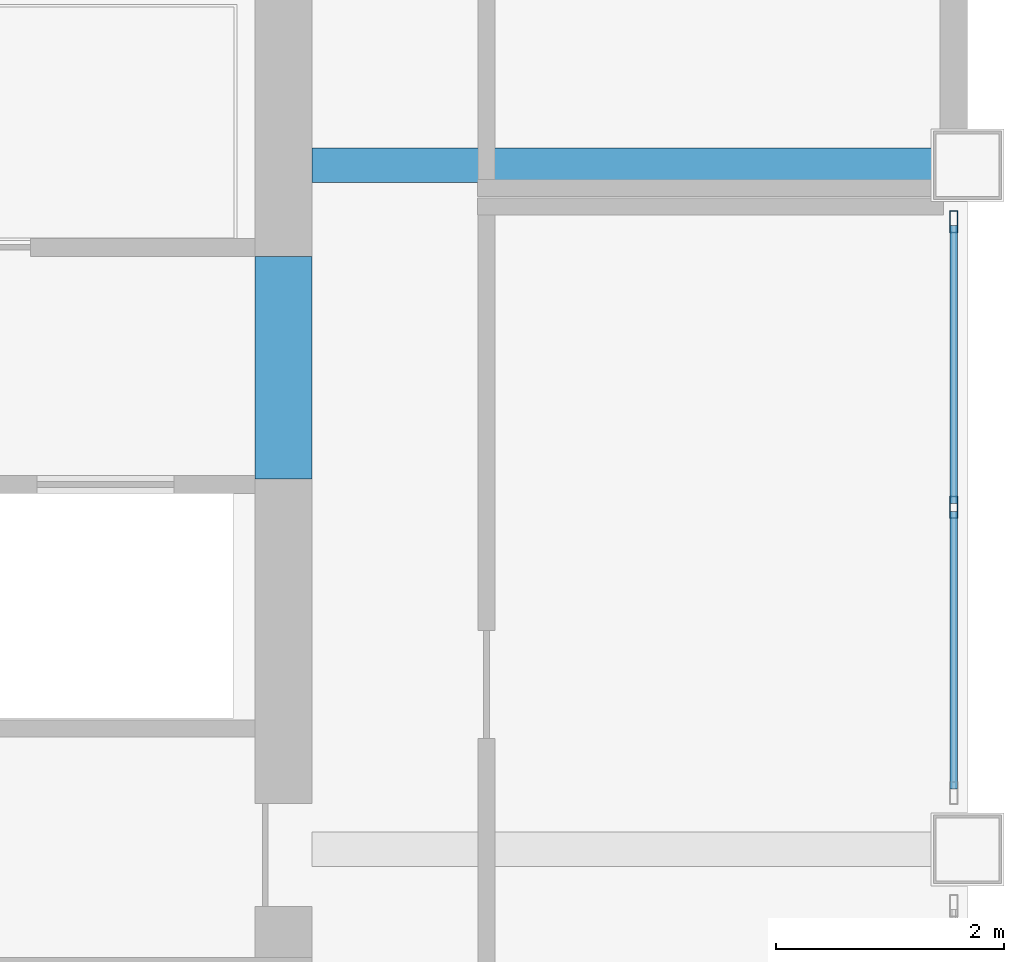
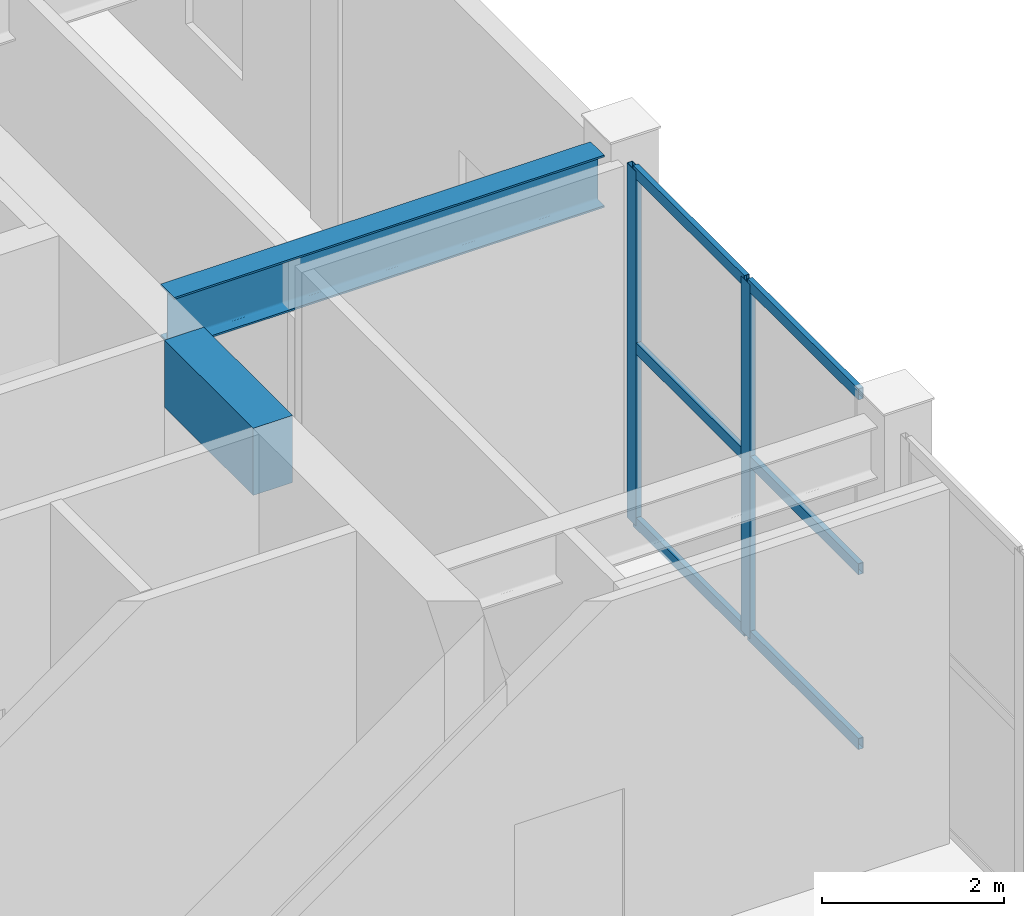
# One storey, part 5 of 11: 8 members, 2 beams, 1 element without a shape of its own.
"""IFC4 building model written with IfcOpenShell, lengths in metres."""

from ifc_helpers import new_model, si_unit, direction, frame, origin, origin_2d, place, context, subcontext, project, spatial, rectangle, hollow_rectangle, i_section, extrude, material, layer, layer_set, material_profile, profile_set, type_object, element, aggregate, save


model = new_model("IFC4")

# Units and contexts
model_context = context("Model", 3, precision=1e-05, world=origin(), true_north=direction((0.0, 1.0)))
body_context = subcontext(model_context, "Body", "Model", "MODEL_VIEW")
ifc_project = project(units=[si_unit("LENGTHUNIT", "METRE"), si_unit("AREAUNIT", "SQUARE_METRE"), si_unit("VOLUMEUNIT", "CUBIC_METRE"), si_unit("PLANEANGLEUNIT", "RADIAN"), si_unit("MASSUNIT", "GRAM", prefix="KILO")], contexts=[model_context])

# Site, building, storey
site_placement = place(None, origin())
site = spatial("IfcSite", under=ifc_project, at=site_placement, CompositionType="ELEMENT")
building_placement = place(site_placement, origin())
building = spatial("IfcBuilding", under=site, at=building_placement, Name="Haolan Belvedere Tower", CompositionType="ELEMENT")
storey_placement = place(building_placement, frame((0.0, 0.0, 323.199951171875)))
storey = spatial("IfcBuildingStorey", under=building, at=storey_placement, Name="L81", CompositionType="ELEMENT", Elevation=323.199951171875)

# Beams
ifc_material_1 = material(Name="Steel Q355B", Category="steel")
ifc_material_profile_1 = material_profile(ifc_material_1, i_section(OverallWidth=0.300048828125, OverallDepth=0.699951171875, WebThickness=0.012939453125, FlangeThickness=0.02392578125, FilletRadius=0.02587890625, at=origin_2d()), Name="Steel Q355B")
ifc_profile_set_1 = profile_set([ifc_material_profile_1], Name="Steel Q355B")
beam_type_1 = type_object("IfcBeamType", Name="BM-HN700x300x13x24", PredefinedType="BEAM", material=ifc_profile_set_1)
beam_1_placement = place(storey_placement, frame((52.5, 33.60009765625, 4.400146484375), z_axis=(-1.0, 0.0, 0.0), x_axis=(0.0, -1.0, 0.0)))
element("IfcBeam", 1, at=beam_1_placement, inside=storey, type_object=beam_type_1, Name="L81 core tie beam from MC-T3-ME", PredefinedType="BEAM", context=body_context, shape_type="SweptSolid", body=[
    extrude(i_section(OverallWidth=0.300048828125, OverallDepth=0.699951171875, WebThickness=0.012939453125, FlangeThickness=0.02392578125, FilletRadius=0.02587890625, at=origin_2d()), origin(), (0.0, 0.0, 1.0), 5.449951171875),
])
ifc_material_2 = material(Name="Concrete C60/75", Category="concrete")
ifc_material_profile_2 = material_profile(ifc_material_2, rectangle(XDim=0.5, YDim=0.89990234375, at=origin_2d()), Name="Concrete C60/75")
ifc_profile_set_2 = profile_set([ifc_material_profile_2], Name="Concrete C60/75")
beam_type_2 = type_object("IfcBeamType", Name="BM-RC500x900", PredefinedType="LINTEL", material=ifc_profile_set_2)
beam_2_placement = place(storey_placement, frame((46.800048828125, 30.85009765625, 4.300048828125), z_axis=(0.0, 1.0, 0.0), x_axis=(-1.0, 0.0, 0.0)))
element("IfcBeam", 2, at=beam_2_placement, inside=storey, type_object=beam_type_2, Name="L81 east core coupling beam CB-01", PredefinedType="LINTEL", context=body_context, shape_type="SweptSolid", body=[
    extrude(rectangle(XDim=0.5, YDim=0.89990234375, at=origin_2d()), origin(), (0.0, 0.0, 1.0), 1.949951171875),
])

# Curtain wall, members
ifc_material_3 = material(Name="Anodised champagne-silver aluminium 6063-T6 and Low-E glass", Category="aluminium")
ifc_layer = layer(ifc_material_3, 0.195068359375, Name="Anodised champagne-silver aluminium 6063-T6 and Low-E glass")
ifc_layer_set = layer_set([ifc_layer], Name="Anodised champagne-silver aluminium 6063-T6 and Low-E glass")
curtain_wall_type = type_object("IfcCurtainWallType", Name="CW-SYS-06", PredefinedType="NOTDEFINED", material=ifc_layer_set)
curtain_wall_placement = place(storey_placement, origin())
curtain_wall = element("IfcCurtainWall", 3, at=curtain_wall_placement, inside=storey, type_object=curtain_wall_type, Name="L81 CW-SYS-06 ribbon curtain wall 3.2", PredefinedType="NOTDEFINED")
ifc_material_4 = material(Name="Anodised aluminium 6063-T6", Category="aluminium")
ifc_material_profile_3 = material_profile(ifc_material_4, hollow_rectangle(XDim=0.070068359375, YDim=0.195068359375, WallThickness=0.00390625, at=origin_2d()), Name="Anodised aluminium 6063-T6")
ifc_profile_set_3 = profile_set([ifc_material_profile_3], Name="Anodised aluminium 6063-T6")
member_type_1 = type_object("IfcMemberType", Name="CW-SYS-06-MUL", PredefinedType="MULLION", material=ifc_profile_set_3)
member_1_placement = place(storey_placement, frame((52.679931640625, 30.60009765625, 0.0), z_axis=(0.0, 0.0, 1.0), x_axis=(-1.0, 0.0, 0.0)))
member_1 = element("IfcMember", 4, at=member_1_placement, type_object=member_type_1, Name="CW-06 mullion 2", PredefinedType="MULLION", context=body_context, shape_type="SweptSolid", body=[
    extrude(hollow_rectangle(XDim=0.070068359375, YDim=0.195068359375, WallThickness=0.00390625, at=origin_2d()), origin(), (0.0, 0.0, 1.0), 4.75),
])
member_2_placement = place(storey_placement, frame((52.679931640625, 33.10498046875, 0.0), z_axis=(0.0, 0.0, 1.0), x_axis=(-1.0, 0.0, 0.0)))
member_2 = element("IfcMember", 5, at=member_2_placement, type_object=member_type_1, Name="CW-06 mullion 3", PredefinedType="MULLION", context=body_context, shape_type="SweptSolid", body=[
    extrude(hollow_rectangle(XDim=0.070068359375, YDim=0.195068359375, WallThickness=0.00390625, at=origin_2d()), origin(), (0.0, 0.0, 1.0), 4.75),
])
ifc_material_profile_4 = material_profile(ifc_material_4, hollow_rectangle(XDim=0.06494140625, YDim=0.14990234375, WallThickness=0.00390625, at=origin_2d()), Name="Anodised aluminium 6063-T6")
ifc_profile_set_4 = profile_set([ifc_material_profile_4], Name="Anodised aluminium 6063-T6")
member_type_2 = type_object("IfcMemberType", Name="CW-SYS-06-TRN", PredefinedType="USERDEFINED", material=ifc_profile_set_4)
member_3_placement = place(storey_placement, frame((52.679931640625, 28.1298828125, 0.032470703125), z_axis=(0.0, 1.0, 0.0), x_axis=(-1.0, 0.0, 0.0)))
member_3 = element("IfcMember", 6, at=member_3_placement, type_object=member_type_2, Name="CW-06 transom 1.1", ObjectType="TRANSOM", PredefinedType="USERDEFINED", context=body_context, shape_type="SweptSolid", body=[
    extrude(hollow_rectangle(XDim=0.06494140625, YDim=0.14990234375, WallThickness=0.00390625, at=origin_2d()), origin(), (0.0, 0.0, 1.0), 2.43505859375),
])
member_4_placement = place(storey_placement, frame((52.679931640625, 28.1298828125, 2.375), z_axis=(0.0, 1.0, 0.0), x_axis=(-1.0, 0.0, 0.0)))
member_4 = element("IfcMember", 7, at=member_4_placement, type_object=member_type_2, Name="CW-06 transom 1.2", ObjectType="TRANSOM", PredefinedType="USERDEFINED", context=body_context, shape_type="SweptSolid", body=[
    extrude(hollow_rectangle(XDim=0.06494140625, YDim=0.14990234375, WallThickness=0.00390625, at=origin_2d()), origin(), (0.0, 0.0, 1.0), 2.43505859375),
])
member_5_placement = place(storey_placement, frame((52.679931640625, 28.1298828125, 4.717529296875), z_axis=(0.0, 1.0, 0.0), x_axis=(-1.0, 0.0, 0.0)))
member_5 = element("IfcMember", 8, at=member_5_placement, type_object=member_type_2, Name="CW-06 transom 1.3", ObjectType="TRANSOM", PredefinedType="USERDEFINED", context=body_context, shape_type="SweptSolid", body=[
    extrude(hollow_rectangle(XDim=0.06494140625, YDim=0.14990234375, WallThickness=0.00390625, at=origin_2d()), origin(), (0.0, 0.0, 1.0), 2.43505859375),
])
member_6_placement = place(storey_placement, frame((52.679931640625, 30.635009765625, 0.032470703125), z_axis=(0.0, 1.0, 0.0), x_axis=(-1.0, 0.0, 0.0)))
member_6 = element("IfcMember", 9, at=member_6_placement, type_object=member_type_2, Name="CW-06 transom 2.1", ObjectType="TRANSOM", PredefinedType="USERDEFINED", context=body_context, shape_type="SweptSolid", body=[
    extrude(hollow_rectangle(XDim=0.06494140625, YDim=0.14990234375, WallThickness=0.00390625, at=origin_2d()), origin(), (0.0, 0.0, 1.0), 2.43505859375),
])
member_7_placement = place(storey_placement, frame((52.679931640625, 30.635009765625, 2.375), z_axis=(0.0, 1.0, 0.0), x_axis=(-1.0, 0.0, 0.0)))
member_7 = element("IfcMember", 10, at=member_7_placement, type_object=member_type_2, Name="CW-06 transom 2.2", ObjectType="TRANSOM", PredefinedType="USERDEFINED", context=body_context, shape_type="SweptSolid", body=[
    extrude(hollow_rectangle(XDim=0.06494140625, YDim=0.14990234375, WallThickness=0.00390625, at=origin_2d()), origin(), (0.0, 0.0, 1.0), 2.43505859375),
])
member_8_placement = place(storey_placement, frame((52.679931640625, 30.635009765625, 4.717529296875), z_axis=(0.0, 1.0, 0.0), x_axis=(-1.0, 0.0, 0.0)))
member_8 = element("IfcMember", 11, at=member_8_placement, type_object=member_type_2, Name="CW-06 transom 2.3", ObjectType="TRANSOM", PredefinedType="USERDEFINED", context=body_context, shape_type="SweptSolid", body=[
    extrude(hollow_rectangle(XDim=0.06494140625, YDim=0.14990234375, WallThickness=0.00390625, at=origin_2d()), origin(), (0.0, 0.0, 1.0), 2.43505859375),
])
aggregate(curtain_wall, [member_1, member_2, member_3, member_4, member_5, member_6, member_7, member_8])

save(model, "model.ifc")
